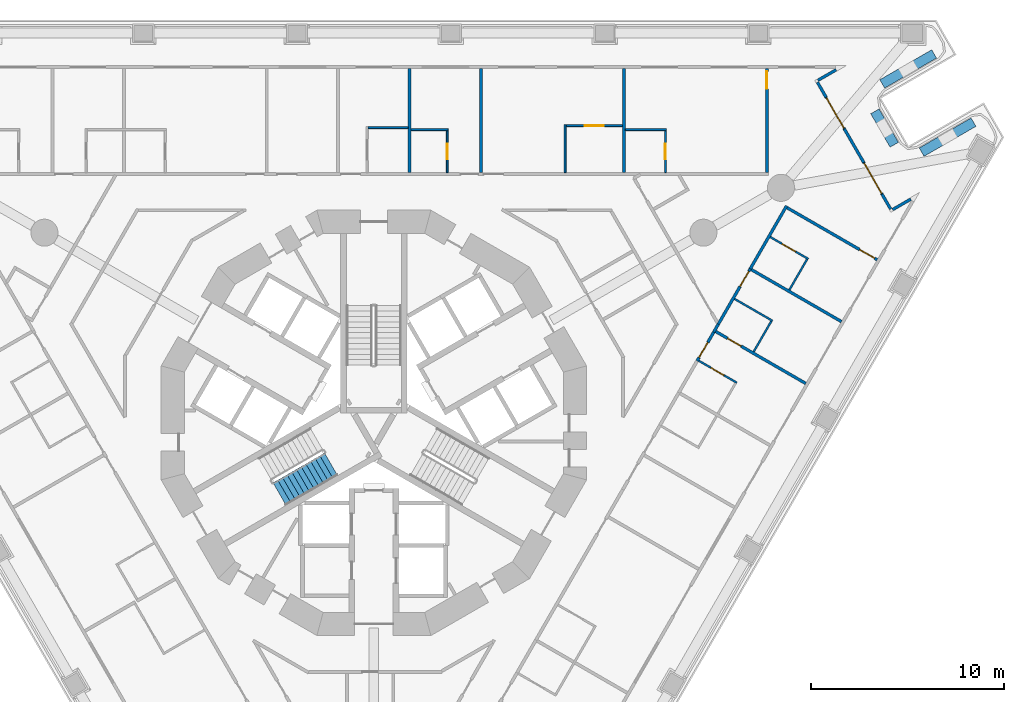
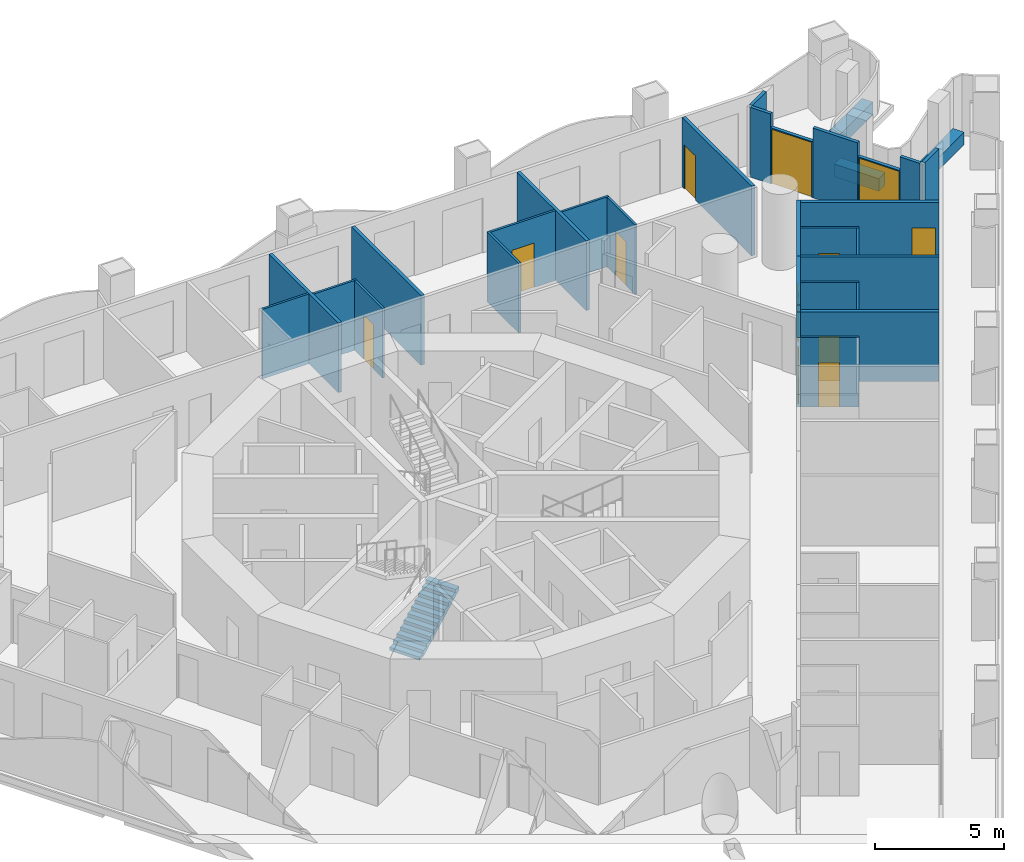
# One storey, part 10 of 20: 33 walls, 12 doors, 1 stair flight, 12 openings, 1 element without a shape of its own.
"""IFC4 building model written with IfcOpenShell, lengths in metres."""

from ifc_helpers import new_model, si_unit, direction, frame, frame_2d, origin, place, context, subcontext, project, spatial, polyline, rectangle, outline, extrude, material, layer, layer_set, type_object, element, fill, aggregate, save


model = new_model("IFC4")

# Units and contexts
model_context = context("Model", 3, precision=1e-05, world=origin(), true_north=direction((0.0, 1.0)))
body_context = subcontext(model_context, "Body", "Model", "MODEL_VIEW")
ifc_project = project(units=[si_unit("LENGTHUNIT", "METRE"), si_unit("AREAUNIT", "SQUARE_METRE"), si_unit("VOLUMEUNIT", "CUBIC_METRE"), si_unit("PLANEANGLEUNIT", "RADIAN"), si_unit("MASSUNIT", "GRAM", prefix="KILO")], contexts=[model_context])

# Site, building, storey
site_placement = place(None, origin())
site = spatial("IfcSite", under=ifc_project, at=site_placement, CompositionType="ELEMENT")
building_placement = place(site_placement, origin())
building = spatial("IfcBuilding", under=site, at=building_placement, Name="Trine Commons Tower", CompositionType="ELEMENT")
storey_placement = place(building_placement, frame((0.0, 0.0, 38.699951171875)))
storey = spatial("IfcBuildingStorey", under=building, at=storey_placement, Name="L08", CompositionType="ELEMENT", Elevation=38.699951171875)

# Walls
ifc_material_1 = material(Name="Aluminium-framed insulated wall panel", Category="aluminium")
ifc_layer_1 = layer(ifc_material_1, 0.14990234375)
ifc_layer_set_1 = layer_set([ifc_layer_1], Name="Aluminium-framed insulated wall panel")
wall_type_1 = type_object("IfcWallType", Name="Glazed frame wall 150, EI 60", PredefinedType="SOLIDWALL", material=ifc_layer_set_1)
wall_1_placement = place(storey_placement, frame((104.060546875, 80.854248046875, 0.0), z_axis=(0.0, 0.0, 1.0), x_axis=(-0.86606770004, -0.49992673358, 0.0)))
element("IfcWall", 1, at=wall_1_placement, inside=storey, type_object=wall_type_1, Name="Glazed frame wall R5", PredefinedType="SOLIDWALL", context=body_context, shape_type="SweptSolid", body=[
    extrude(outline(polyline([(0.1494140625, 0.074951171875), (0.1494140625, -0.074951171875), (1.235107421875, -0.074951171875), (1.235107421875, 0.074951171875), (0.1494140625, 0.074951171875)])), origin(), (0.0, 0.0, 1.0), 3.300048828125),
])
wall_2_placement = place(storey_placement, frame((102.90869140625, 80.2294921875, 0.0), z_axis=(0.0, 0.0, 1.0), x_axis=(0.50002537861, -0.866010750942, 0.0)))
element("IfcWall", 2, at=wall_2_placement, inside=storey, type_object=wall_type_1, Name="Glazed frame wall P2.1", PredefinedType="SOLIDWALL", context=body_context, shape_type="SweptSolid", body=[
    extrude(outline(polyline([(0.110107421875, -0.074951171875), (1.0, -0.074951171875), (1.0, 0.074951171875), (0.110107421875, 0.074951171875), (0.110107421875, -0.074951171875)])), origin(), (0.0, 0.0, 1.0), 3.300048828125),
])

# Wall, opening, door
wall_3_placement = place(storey_placement, frame((103.40869140625, 79.363525390625, 0.0), z_axis=(0.0, 0.0, 1.0), x_axis=(0.499967155389, -0.866044365799, 0.0)))
wall_3 = element("IfcWall", 3, at=wall_3_placement, inside=storey, type_object=wall_type_1, Name="Glazed frame wall P2.2", PredefinedType="SOLIDWALL", context=body_context, shape_type="SweptSolid", body=[
    extrude(outline(polyline([(0.0, -0.074951171875), (1.89990234375, -0.074951171875), (1.89990234375, 0.074951171875), (0.0, 0.074951171875), (0.0, -0.074951171875)])), origin(), (0.0, 0.0, 1.0), 2.650146484375),
])
opening_1_placement = place(wall_3_placement, frame((0.050048828125, 0.0, 0.0)))
opening_1 = element("IfcOpeningElement", 4, at=opening_1_placement, cuts=wall_3, Name="Opening BD-1P2-01", PredefinedType="OPENING", context=body_context, shape_type="SweptSolid", body=[
    extrude(rectangle(XDim=1.800048828125, YDim=2.60009765625, at=frame_2d((0.89990234375, 1.300048828125))), frame((0.0, 0.0849609375, 0.0), z_axis=(0.0, -1.0, 0.0), x_axis=(1.0, 0.0, 0.0)), (0.0, 0.0, 1.0), 0.169921875),
])
ifc_material_2 = material(Name="Anodised aluminium frame with double glazing", Category="aluminium")
door_type_1 = type_object("IfcDoorType", Name="Sliding loggia door 1800x2600", OperationType="SLIDING_TO_LEFT", PredefinedType="DOOR", material=ifc_material_2)
door_1_placement = place(opening_1_placement, origin())
door_1 = element("IfcDoor", 5, at=door_1_placement, inside=storey, type_object=door_type_1, Name="Loggia door P2 1", OperationType="SLIDING_TO_LEFT", OverallHeight=2.60009765625, OverallWidth=1.800048828125, PredefinedType="DOOR", context=body_context, shape_type="SweptSolid", body=[
    extrude(rectangle(XDim=1.800048828125, YDim=2.60009765625, at=frame_2d((0.89990234375, 1.300048828125))), frame((0.0, 0.02490234375, 0.0), z_axis=(0.0, -1.0, 0.0), x_axis=(1.0, 0.0, 0.0)), (0.0, 0.0, 1.0), 0.050048828125),
])
fill(opening_1, door_1)

# Wall
wall_4_placement = place(storey_placement, frame((104.358642578125, 77.718017578125, 0.0), z_axis=(0.0, 0.0, 1.0), x_axis=(0.50002537861, -0.866010750942, 0.0)))
element("IfcWall", 6, at=wall_4_placement, inside=storey, type_object=wall_type_1, Name="Glazed frame wall P2.3", PredefinedType="SOLIDWALL", context=body_context, shape_type="SweptSolid", body=[
    extrude(outline(polyline([(0.0, -0.074951171875), (2.0, -0.074951171875), (2.0, 0.074951171875), (0.0, 0.074951171875), (0.0, -0.074951171875)])), origin(), (0.0, 0.0, 1.0), 3.300048828125),
])

# Wall, opening, door
wall_5_placement = place(storey_placement, frame((105.358642578125, 75.986083984375, 0.0), z_axis=(0.0, 0.0, 1.0), x_axis=(0.499967155389, -0.866044365799, 0.0)))
wall_5 = element("IfcWall", 7, at=wall_5_placement, inside=storey, type_object=wall_type_1, Name="Glazed frame wall P2.4", PredefinedType="SOLIDWALL", context=body_context, shape_type="SweptSolid", body=[
    extrude(outline(polyline([(0.0, -0.074951171875), (1.89990234375, -0.074951171875), (1.89990234375, 0.074951171875), (0.0, 0.074951171875), (0.0, -0.074951171875)])), origin(), (0.0, 0.0, 1.0), 2.650146484375),
])
opening_2_placement = place(wall_5_placement, frame((0.050048828125, 0.0, 0.0)))
opening_2 = element("IfcOpeningElement", 8, at=opening_2_placement, cuts=wall_5, Name="Opening BD-1P2-02", PredefinedType="OPENING", context=body_context, shape_type="SweptSolid", body=[
    extrude(rectangle(XDim=1.800048828125, YDim=2.60009765625, at=frame_2d((0.89990234375, 1.300048828125))), frame((0.0, 0.0849609375, 0.0), z_axis=(0.0, -1.0, 0.0), x_axis=(1.0, 0.0, 0.0)), (0.0, 0.0, 1.0), 0.169921875),
])
door_2_placement = place(opening_2_placement, origin())
door_2 = element("IfcDoor", 9, at=door_2_placement, inside=storey, type_object=door_type_1, Name="Loggia door P2 2", OperationType="SLIDING_TO_LEFT", OverallHeight=2.60009765625, OverallWidth=1.800048828125, PredefinedType="DOOR", context=body_context, shape_type="SweptSolid", body=[
    extrude(rectangle(XDim=1.800048828125, YDim=2.60009765625, at=frame_2d((0.89990234375, 1.300048828125))), frame((0.0, 0.02490234375, 0.0), z_axis=(0.0, -1.0, 0.0), x_axis=(1.0, 0.0, 0.0)), (0.0, 0.0, 1.0), 0.050048828125),
])
fill(opening_2, door_2)

# Walls
wall_6_placement = place(storey_placement, frame((106.30859375, 74.340576171875, 0.0), z_axis=(0.0, 0.0, 1.0), x_axis=(0.50002537861, -0.866010750942, 0.0)))
element("IfcWall", 10, at=wall_6_placement, inside=storey, type_object=wall_type_1, Name="Glazed frame wall P2.5", PredefinedType="SOLIDWALL", context=body_context, shape_type="SweptSolid", body=[
    extrude(outline(polyline([(0.889892578125, 0.074951171875), (0.0, 0.074951171875), (0.0, -0.074951171875), (0.889892578125, -0.074951171875), (0.889892578125, 0.074951171875)])), origin(), (0.0, 0.0, 1.0), 3.300048828125),
])
wall_7_placement = place(storey_placement, frame((106.7607421875, 73.4873046875, 0.0), z_axis=(0.0, 0.0, 1.0), x_axis=(0.865989100438, 0.500062873969, 0.0)))
element("IfcWall", 11, at=wall_7_placement, inside=storey, type_object=wall_type_1, Name="Glazed frame wall R7", PredefinedType="SOLIDWALL", context=body_context, shape_type="SweptSolid", body=[
    extrude(outline(polyline([(0.110107421875, 0.074951171875), (0.110107421875, -0.074951171875), (1.19580078125, -0.074951171875), (1.19580078125, 0.074951171875), (0.110107421875, 0.074951171875)])), origin(), (0.0, 0.0, 1.0), 3.300048828125),
])
ifc_material_3 = material(Name="Planter trough, precast concrete C40/50", Category="concrete")
ifc_layer_2 = layer(ifc_material_3, 0.5)
ifc_layer_set_2 = layer_set([ifc_layer_2], Name="Planter trough, precast concrete C40/50")
wall_type_2 = type_object("IfcWallType", Name="Planter trough 500x600", PredefinedType="PARAPET", material=ifc_layer_set_2)
wall_8_placement = place(storey_placement, frame((109.00439453125, 81.601318359375, 0.0), z_axis=(0.0, 0.0, 1.0), x_axis=(-0.86602952684, -0.49999285859, 0.0)))
element("IfcWall", 12, at=wall_8_placement, inside=storey, type_object=wall_type_2, Name="Planter 4", PredefinedType="PARAPET", context=body_context, shape_type="SweptSolid", body=[
    extrude(rectangle(XDim=3.10009765625, YDim=0.5, at=frame_2d((1.550048828125, 0.0))), origin(), (0.0, 0.0, 1.0), 0.60009765625),
])
wall_9_placement = place(storey_placement, frame((105.939208984375, 78.630615234375, 0.0), z_axis=(0.0, 0.0, 1.0), x_axis=(0.50002537861, -0.866010750942, 0.0)))
element("IfcWall", 13, at=wall_9_placement, inside=storey, type_object=wall_type_2, Name="Planter 5", PredefinedType="PARAPET", context=body_context, shape_type="SweptSolid", body=[
    extrude(rectangle(XDim=2.0, YDim=0.5, at=frame_2d((1.0, 0.0))), origin(), (0.0, 0.0, 1.0), 0.60009765625),
])
wall_10_placement = place(storey_placement, frame((108.359619140625, 76.51806640625, 0.0), z_axis=(0.0, 0.0, 1.0), x_axis=(0.86602952684, 0.49999285859, 0.0)))
element("IfcWall", 14, at=wall_10_placement, inside=storey, type_object=wall_type_2, Name="Planter 6", PredefinedType="PARAPET", context=body_context, shape_type="SweptSolid", body=[
    extrude(rectangle(XDim=3.10009765625, YDim=0.5, at=frame_2d((1.550048828125, 0.0))), origin(), (0.0, 0.0, 1.0), 0.60009765625),
])
ifc_material_4 = material(Name="Gypsum plasterboard on steel stud", Category="steel")
ifc_layer_3 = layer(ifc_material_4, 0.14990234375)
ifc_layer_set_3 = layer_set([ifc_layer_3], Name="Gypsum plasterboard on steel stud")
wall_type_3 = type_object("IfcWallType", Name="Unit and corridor wall 150 mm, EI 60", PredefinedType="PARTITIONING", material=ifc_layer_set_3)
for number, where, z_axis, x_axis, name in (
    (15, (81.84912109375, 75.4619140625, 0.0), (0.0, 0.0, 1.0), (0.0, 1.0, 0.0), "Partition 073"),
    (16, (85.548095703125, 75.4619140625, 0.0), (0.0, 0.0, 1.0), (0.0, 1.0, 0.0), "Partition 086"),
    (17, (92.946044921875, 75.4619140625, 0.0), (0.0, 0.0, 1.0), (0.0, 1.0, 0.0), "Partition 110"),
):
    element("IfcWall", number, at=place(storey_placement, frame(where, z_axis=z_axis, x_axis=x_axis)), inside=storey, type_object=wall_type_3, Name=name, PredefinedType="PARTITIONING", context=body_context, shape_type="SweptSolid", body=[
        extrude(rectangle(XDim=5.383056640625, YDim=0.14990234375, at=frame_2d((2.69140625, 0.0))), origin(), (0.0, 0.0, 1.0), 3.300048828125),
    ])

# Wall, opening, door
wall_11_placement = place(storey_placement, frame((96.73291015625, 65.707763671875, 0.0), z_axis=(0.0, 0.0, 1.0), x_axis=(0.499991567972, 0.866030271964, 0.0)))
wall_11 = element("IfcWall", 18, at=wall_11_placement, inside=storey, type_object=wall_type_3, Name="Partition 122", PredefinedType="PARTITIONING", context=body_context, shape_type="SweptSolid", body=[
    extrude(rectangle(XDim=1.80615234375, YDim=0.14990234375, at=frame_2d((0.903076171875, 0.0))), origin(), (0.0, 0.0, 1.0), 3.300048828125),
])
opening_3_placement = place(wall_11_placement, frame((0.203125, 0.0, 0.0)))
opening_3 = element("IfcOpeningElement", 19, at=opening_3_placement, cuts=wall_11, Name="Opening D-1A17", PredefinedType="OPENING", context=body_context, shape_type="SweptSolid", body=[
    extrude(rectangle(XDim=0.89990234375, YDim=2.10009765625, at=frame_2d((0.449951171875, 1.050048828125))), frame((0.0, 0.0849609375, 0.0), z_axis=(0.0, -1.0, 0.0), x_axis=(1.0, 0.0, 0.0)), (0.0, 0.0, 1.0), 0.169921875),
])
ifc_material_5 = material(Name="Timber fire door set", Category="wood")
door_type_2 = type_object("IfcDoorType", Name="Bedroom door 900 x 2100, FD30S", OperationType="NOTDEFINED", PredefinedType="DOOR", material=ifc_material_5)
door_3_placement = place(opening_3_placement, frame((0.89990234375, 0.0, 0.0), z_axis=(0.0, 0.0, 1.0), x_axis=(-1.0, 0.0, 0.0)))
door_3 = element("IfcDoor", 20, at=door_3_placement, inside=storey, type_object=door_type_2, Name="Door D-1A17", OperationType="SINGLE_SWING_RIGHT", OverallHeight=2.10009765625, OverallWidth=0.89990234375, PredefinedType="DOOR", context=body_context, shape_type="SweptSolid", body=[
    extrude(rectangle(XDim=0.89990234375, YDim=2.10009765625, at=frame_2d((0.449951171875, 1.050048828125))), frame((0.0, 0.02490234375, 0.0), z_axis=(0.0, -1.0, 0.0), x_axis=(1.0, 0.0, 0.0)), (0.0, 0.0, 1.0), 0.050048828125),
])
fill(opening_3, door_3)

# Wall
wall_12_placement = place(storey_placement, frame((97.594482421875, 67.199951171875, 0.0), z_axis=(0.0, 0.0, 1.0), x_axis=(0.499633176362, 0.866237085952, 0.0)))
element("IfcWall", 21, at=wall_12_placement, inside=storey, type_object=wall_type_3, Name="Partition 125", PredefinedType="PARTITIONING", context=body_context, shape_type="SweptSolid", body=[
    extrude(rectangle(XDim=0.473388671875, YDim=0.14990234375, at=frame_2d((0.23681640625, 0.0))), origin(), (0.0, 0.0, 1.0), 3.300048828125),
])

# Wall, opening, door
wall_13_placement = place(storey_placement, frame((97.697998046875, 67.2314453125, 0.0), z_axis=(0.0, 0.0, 1.0), x_axis=(0.866057962423, -0.499943602543, 0.0)))
wall_13 = element("IfcWall", 22, at=wall_13_placement, inside=storey, type_object=wall_type_3, Name="Partition 126", PredefinedType="PARTITIONING", context=body_context, shape_type="SweptSolid", body=[
    extrude(rectangle(XDim=5.38330078125, YDim=0.14990234375, at=frame_2d((2.691650390625, 0.0))), origin(), (0.0, 0.0, 1.0), 3.300048828125),
])
opening_4_placement = place(wall_13_placement, frame((0.712646484375, 0.0, 0.0)))
opening_4 = element("IfcOpeningElement", 23, at=opening_4_placement, cuts=wall_13, Name="Opening D-1A49", PredefinedType="OPENING", context=body_context, shape_type="SweptSolid", body=[
    extrude(rectangle(XDim=0.800048828125, YDim=2.10009765625, at=frame_2d((0.39990234375, 1.050048828125))), frame((0.0, 0.0849609375, 0.0), z_axis=(0.0, -1.0, 0.0), x_axis=(1.0, 0.0, 0.0)), (0.0, 0.0, 1.0), 0.169921875),
])
ifc_material_6 = material(Name="Painted timber", Category="wood")
door_type_3 = type_object("IfcDoorType", Name="Internal door 800 x 2100, NOT RATED", OperationType="NOTDEFINED", PredefinedType="DOOR", material=ifc_material_6)
door_4_placement = place(opening_4_placement, frame((0.800048828125, 0.0, 0.0), z_axis=(0.0, 0.0, 1.0), x_axis=(-1.0, 0.0, 0.0)))
door_4 = element("IfcDoor", 24, at=door_4_placement, inside=storey, type_object=door_type_3, Name="Door D-1A49", OperationType="SINGLE_SWING_RIGHT", OverallHeight=2.10009765625, OverallWidth=0.800048828125, PredefinedType="DOOR", context=body_context, shape_type="SweptSolid", body=[
    extrude(rectangle(XDim=0.800048828125, YDim=2.10009765625, at=frame_2d((0.39990234375, 1.050048828125))), frame((0.0, 0.02490234375, 0.0), z_axis=(0.0, -1.0, 0.0), x_axis=(1.0, 0.0, 0.0)), (0.0, 0.0, 1.0), 0.050048828125),
])
fill(opening_4, door_4)

wall_14_placement = place(storey_placement, frame((97.8310546875, 67.610107421875, 0.0), z_axis=(0.0, 0.0, 1.0), x_axis=(0.499905801698, 0.866079782369, 0.0)))
wall_14 = element("IfcWall", 25, at=wall_14_placement, inside=storey, type_object=wall_type_3, Name="Partition 128", PredefinedType="PARTITIONING", context=body_context, shape_type="SweptSolid", body=[
    extrude(rectangle(XDim=3.304443359375, YDim=0.14990234375, at=frame_2d((1.65234375, 0.0))), origin(), (0.0, 0.0, 1.0), 3.300048828125),
])
opening_5_placement = place(wall_14_placement, frame((2.254638671875, 0.0, 0.0)))
opening_5 = element("IfcOpeningElement", 26, at=opening_5_placement, cuts=wall_14, Name="Opening D-1A16", PredefinedType="OPENING", context=body_context, shape_type="SweptSolid", body=[
    extrude(rectangle(XDim=0.89990234375, YDim=2.10009765625, at=frame_2d((0.449951171875, 1.050048828125))), frame((0.0, 0.0849609375, 0.0), z_axis=(0.0, -1.0, 0.0), x_axis=(1.0, 0.0, 0.0)), (0.0, 0.0, 1.0), 0.169921875),
])
door_5_placement = place(opening_5_placement, frame((0.89990234375, 0.0, 0.0), z_axis=(0.0, 0.0, 1.0), x_axis=(-1.0, 0.0, 0.0)))
door_5 = element("IfcDoor", 27, at=door_5_placement, inside=storey, type_object=door_type_2, Name="Door D-1A16", OperationType="SINGLE_SWING_LEFT", OverallHeight=2.10009765625, OverallWidth=0.89990234375, PredefinedType="DOOR", context=body_context, shape_type="SweptSolid", body=[
    extrude(rectangle(XDim=0.89990234375, YDim=2.10009765625, at=frame_2d((0.449951171875, 1.050048828125))), frame((0.0, 0.02490234375, 0.0), z_axis=(0.0, -1.0, 0.0), x_axis=(1.0, 0.0, 0.0)), (0.0, 0.0, 1.0), 0.050048828125),
])
fill(opening_5, door_5)

# Walls
wall_15_placement = place(storey_placement, frame((99.48291015625, 70.471923828125, 0.0), z_axis=(0.0, 0.0, 1.0), x_axis=(0.49993154479, 0.866064922811, 0.0)))
element("IfcWall", 28, at=wall_15_placement, inside=storey, type_object=wall_type_3, Name="Partition 130", PredefinedType="PARTITIONING", context=body_context, shape_type="SweptSolid", body=[
    extrude(rectangle(XDim=3.7734375, YDim=0.14990234375, at=frame_2d((1.88671875, 0.0))), origin(), (0.0, 0.0, 1.0), 3.300048828125),
])
wall_16_placement = place(storey_placement, frame((99.548095703125, 70.4345703125, 0.0), z_axis=(0.0, 0.0, 1.0), x_axis=(0.865992970276, -0.500056172277, 0.0)))
element("IfcWall", 29, at=wall_16_placement, inside=storey, type_object=wall_type_3, Name="Partition 131", PredefinedType="PARTITIONING", context=body_context, shape_type="SweptSolid", body=[
    extrude(rectangle(XDim=5.3828125, YDim=0.14990234375, at=frame_2d((2.69140625, 0.0))), origin(), (0.0, 0.0, 1.0), 3.300048828125),
])

# Wall, opening, door
wall_17_placement = place(storey_placement, frame((100.343994140625, 75.4619140625, 0.0), z_axis=(0.0, 0.0, 1.0), x_axis=(0.0, 1.0, 0.0)))
wall_17 = element("IfcWall", 30, at=wall_17_placement, inside=storey, type_object=wall_type_3, Name="Partition 133", PredefinedType="PARTITIONING", context=body_context, shape_type="SweptSolid", body=[
    extrude(rectangle(XDim=5.383056640625, YDim=0.14990234375, at=frame_2d((2.69140625, 0.0))), origin(), (0.0, 0.0, 1.0), 3.300048828125),
])
opening_6_placement = place(wall_17_placement, frame((4.3330078125, 0.0, 0.0)))
opening_6 = element("IfcOpeningElement", 31, at=opening_6_placement, cuts=wall_17, Name="Opening D-1A14", PredefinedType="OPENING", context=body_context, shape_type="SweptSolid", body=[
    extrude(rectangle(XDim=0.89990234375, YDim=2.10009765625, at=frame_2d((0.449951171875, 1.050048828125))), frame((0.0, 0.0849609375, 0.0), z_axis=(0.0, -1.0, 0.0), x_axis=(1.0, 0.0, 0.0)), (0.0, 0.0, 1.0), 0.169921875),
])
door_6_placement = place(opening_6_placement, origin())
door_6 = element("IfcDoor", 32, at=door_6_placement, inside=storey, type_object=door_type_2, Name="Door D-1A14", OperationType="SINGLE_SWING_RIGHT", OverallHeight=2.10009765625, OverallWidth=0.89990234375, PredefinedType="DOOR", context=body_context, shape_type="SweptSolid", body=[
    extrude(rectangle(XDim=0.89990234375, YDim=2.10009765625, at=frame_2d((0.449951171875, 1.050048828125))), frame((0.0, 0.02490234375, 0.0), z_axis=(0.0, -1.0, 0.0), x_axis=(1.0, 0.0, 0.0)), (0.0, 0.0, 1.0), 0.050048828125),
])
fill(opening_6, door_6)

wall_18_placement = place(storey_placement, frame((101.39697265625, 73.637451171875, 0.0), z_axis=(0.0, 0.0, 1.0), x_axis=(0.866057962423, -0.499943602543, 0.0)))
wall_18 = element("IfcWall", 33, at=wall_18_placement, inside=storey, type_object=wall_type_3, Name="Partition 135", PredefinedType="PARTITIONING", context=body_context, shape_type="SweptSolid", body=[
    extrude(rectangle(XDim=5.38330078125, YDim=0.14990234375, at=frame_2d((2.691650390625, 0.0))), origin(), (0.0, 0.0, 1.0), 3.300048828125),
])
opening_7_placement = place(wall_18_placement, frame((4.33349609375, 0.0, 0.0)))
opening_7 = element("IfcOpeningElement", 34, at=opening_7_placement, cuts=wall_18, Name="Opening D-1A15", PredefinedType="OPENING", context=body_context, shape_type="SweptSolid", body=[
    extrude(rectangle(XDim=0.89990234375, YDim=2.10009765625, at=frame_2d((0.449951171875, 1.050048828125))), frame((0.0, 0.0849609375, 0.0), z_axis=(0.0, -1.0, 0.0), x_axis=(1.0, 0.0, 0.0)), (0.0, 0.0, 1.0), 0.169921875),
])
door_7_placement = place(opening_7_placement, frame((0.89990234375, 0.0, 0.0), z_axis=(0.0, 0.0, 1.0), x_axis=(-1.0, 0.0, 0.0)))
door_7 = element("IfcDoor", 35, at=door_7_placement, inside=storey, type_object=door_type_2, Name="Door D-1A15", OperationType="SINGLE_SWING_LEFT", OverallHeight=2.10009765625, OverallWidth=0.89990234375, PredefinedType="DOOR", context=body_context, shape_type="SweptSolid", body=[
    extrude(rectangle(XDim=0.89990234375, YDim=2.10009765625, at=frame_2d((0.449951171875, 1.050048828125))), frame((0.0, 0.02490234375, 0.0), z_axis=(0.0, -1.0, 0.0), x_axis=(1.0, 0.0, 0.0)), (0.0, 0.0, 1.0), 0.050048828125),
])
fill(opening_7, door_7)

# Walls
ifc_layer_4 = layer(ifc_material_4, 0.10009765625)
ifc_layer_set_4 = layer_set([ifc_layer_4], Name="Gypsum plasterboard on steel stud")
wall_type_4 = type_object("IfcWallType", Name="Unit partition 100 mm, no rating", PredefinedType="PARTITIONING", material=ifc_layer_set_4)
wall_19_placement = place(storey_placement, frame((79.698974609375, 77.787109375, 0.0), z_axis=(0.0, 0.0, 1.0), x_axis=(1.0, 0.0, 0.0)))
element("IfcWall", 36, at=wall_19_placement, inside=storey, type_object=wall_type_4, Name="Partition 068", PredefinedType="PARTITIONING", context=body_context, shape_type="SweptSolid", body=[
    extrude(rectangle(XDim=2.074951171875, YDim=0.10009765625, at=frame_2d((1.03759765625, 0.0))), origin(), (0.0, 0.0, 1.0), 3.300048828125),
])
wall_20_placement = place(storey_placement, frame((81.924072265625, 77.68701171875, 0.0), z_axis=(0.0, 0.0, 1.0), x_axis=(1.0, 0.0, 0.0)))
element("IfcWall", 37, at=wall_20_placement, inside=storey, type_object=wall_type_4, Name="Partition 074", PredefinedType="PARTITIONING", context=body_context, shape_type="SweptSolid", body=[
    extrude(rectangle(XDim=1.925048828125, YDim=0.10009765625, at=frame_2d((0.96240234375, 0.0))), origin(), (0.0, 0.0, 1.0), 3.300048828125),
])

# Wall, opening, door
wall_21_placement = place(storey_placement, frame((83.799072265625, 75.4619140625, 0.0), z_axis=(0.0, 0.0, 1.0), x_axis=(0.0, 1.0, 0.0)))
wall_21 = element("IfcWall", 38, at=wall_21_placement, inside=storey, type_object=wall_type_4, Name="Partition 082", PredefinedType="PARTITIONING", context=body_context, shape_type="SweptSolid", body=[
    extrude(rectangle(XDim=2.175048828125, YDim=0.10009765625, at=frame_2d((1.08740234375, 0.0))), origin(), (0.0, 0.0, 1.0), 3.300048828125),
])
opening_8_placement = place(wall_21_placement, frame((0.6875, 0.0, 0.0)))
opening_8 = element("IfcOpeningElement", 39, at=opening_8_placement, cuts=wall_21, Name="Opening D-1A45", PredefinedType="OPENING", context=body_context, shape_type="SweptSolid", body=[
    extrude(rectangle(XDim=0.800048828125, YDim=2.10009765625, at=frame_2d((0.39990234375, 1.050048828125))), frame((0.0, 0.06005859375, 0.0), z_axis=(0.0, -1.0, 0.0), x_axis=(1.0, 0.0, 0.0)), (0.0, 0.0, 1.0), 0.1201171875),
])
door_8_placement = place(opening_8_placement, frame((0.800048828125, 0.0, 0.0), z_axis=(0.0, 0.0, 1.0), x_axis=(-1.0, 0.0, 0.0)))
door_8 = element("IfcDoor", 40, at=door_8_placement, inside=storey, type_object=door_type_3, Name="Door D-1A45", OperationType="SINGLE_SWING_RIGHT", OverallHeight=2.10009765625, OverallWidth=0.800048828125, PredefinedType="DOOR", context=body_context, shape_type="SweptSolid", body=[
    extrude(rectangle(XDim=0.800048828125, YDim=2.10009765625, at=frame_2d((0.39990234375, 1.050048828125))), frame((0.0, 0.02490234375, 0.0), z_axis=(0.0, -1.0, 0.0), x_axis=(1.0, 0.0, 0.0)), (0.0, 0.0, 1.0), 0.050048828125),
])
fill(opening_8, door_8)

# Wall
wall_22_placement = place(storey_placement, frame((89.89599609375, 75.4619140625, 0.0), z_axis=(0.0, 0.0, 1.0), x_axis=(0.0, 1.0, 0.0)))
element("IfcWall", 41, at=wall_22_placement, inside=storey, type_object=wall_type_4, Name="Partition 101", PredefinedType="PARTITIONING", context=body_context, shape_type="SweptSolid", body=[
    extrude(rectangle(XDim=2.47509765625, YDim=0.10009765625, at=frame_2d((1.237548828125, 0.0))), origin(), (0.0, 0.0, 1.0), 3.300048828125),
])

# Wall, opening, door
wall_23_placement = place(storey_placement, frame((89.946044921875, 77.886962890625, 0.0), z_axis=(0.0, 0.0, 1.0), x_axis=(1.0, 0.0, 0.0)))
wall_23 = element("IfcWall", 42, at=wall_23_placement, inside=storey, type_object=wall_type_4, Name="Partition 102", PredefinedType="PARTITIONING", context=body_context, shape_type="SweptSolid", body=[
    extrude(rectangle(XDim=2.925048828125, YDim=0.10009765625, at=frame_2d((1.46240234375, 0.0))), origin(), (0.0, 0.0, 1.0), 3.300048828125),
])
opening_9_placement = place(wall_23_placement, frame((0.96240234375, 0.0, 0.0)))
opening_9 = element("IfcOpeningElement", 43, at=opening_9_placement, cuts=wall_23, Name="Opening D-1A46", PredefinedType="OPENING", context=body_context, shape_type="SweptSolid", body=[
    extrude(rectangle(XDim=1.0, YDim=2.10009765625, at=frame_2d((0.5, 1.050048828125))), frame((0.0, 0.06005859375, 0.0), z_axis=(0.0, -1.0, 0.0), x_axis=(1.0, 0.0, 0.0)), (0.0, 0.0, 1.0), 0.1201171875),
])
door_type_4 = type_object("IfcDoorType", Name="Internal door 1000 x 2100, NOT RATED", OperationType="NOTDEFINED", PredefinedType="DOOR", material=ifc_material_6)
door_9_placement = place(opening_9_placement, origin())
door_9 = element("IfcDoor", 44, at=door_9_placement, inside=storey, type_object=door_type_4, Name="Door D-1A46", OperationType="SINGLE_SWING_RIGHT", OverallHeight=2.10009765625, OverallWidth=1.0, PredefinedType="DOOR", context=body_context, shape_type="SweptSolid", body=[
    extrude(rectangle(XDim=1.0, YDim=2.10009765625, at=frame_2d((0.5, 1.050048828125))), frame((0.0, 0.02490234375, 0.0), z_axis=(0.0, -1.0, 0.0), x_axis=(1.0, 0.0, 0.0)), (0.0, 0.0, 1.0), 0.050048828125),
])
fill(opening_9, door_9)

# Wall
wall_24_placement = place(storey_placement, frame((93.02099609375, 77.68701171875, 0.0), z_axis=(0.0, 0.0, 1.0), x_axis=(1.0, 0.0, 0.0)))
element("IfcWall", 45, at=wall_24_placement, inside=storey, type_object=wall_type_4, Name="Partition 111", PredefinedType="PARTITIONING", context=body_context, shape_type="SweptSolid", body=[
    extrude(rectangle(XDim=2.125, YDim=0.10009765625, at=frame_2d((1.0625, 0.0))), origin(), (0.0, 0.0, 1.0), 3.300048828125),
])

# Wall, opening, door
wall_25_placement = place(storey_placement, frame((95.095947265625, 75.4619140625, 0.0), z_axis=(0.0, 0.0, 1.0), x_axis=(0.0, 1.0, 0.0)))
wall_25 = element("IfcWall", 46, at=wall_25_placement, inside=storey, type_object=wall_type_4, Name="Partition 118", PredefinedType="PARTITIONING", context=body_context, shape_type="SweptSolid", body=[
    extrude(rectangle(XDim=2.175048828125, YDim=0.10009765625, at=frame_2d((1.08740234375, 0.0))), origin(), (0.0, 0.0, 1.0), 3.300048828125),
])
opening_10_placement = place(wall_25_placement, frame((0.6875, 0.0, 0.0)))
opening_10 = element("IfcOpeningElement", 47, at=opening_10_placement, cuts=wall_25, Name="Opening D-1A47", PredefinedType="OPENING", context=body_context, shape_type="SweptSolid", body=[
    extrude(rectangle(XDim=0.800048828125, YDim=2.10009765625, at=frame_2d((0.39990234375, 1.050048828125))), frame((0.0, 0.06005859375, 0.0), z_axis=(0.0, -1.0, 0.0), x_axis=(1.0, 0.0, 0.0)), (0.0, 0.0, 1.0), 0.1201171875),
])
door_10_placement = place(opening_10_placement, frame((0.800048828125, 0.0, 0.0), z_axis=(0.0, 0.0, 1.0), x_axis=(-1.0, 0.0, 0.0)))
door_10 = element("IfcDoor", 48, at=door_10_placement, inside=storey, type_object=door_type_3, Name="Door D-1A47", OperationType="SINGLE_SWING_RIGHT", OverallHeight=2.10009765625, OverallWidth=0.800048828125, PredefinedType="DOOR", context=body_context, shape_type="SweptSolid", body=[
    extrude(rectangle(XDim=0.800048828125, YDim=2.10009765625, at=frame_2d((0.39990234375, 1.050048828125))), frame((0.0, 0.02490234375, 0.0), z_axis=(0.0, -1.0, 0.0), x_axis=(1.0, 0.0, 0.0)), (0.0, 0.0, 1.0), 0.050048828125),
])
fill(opening_10, door_10)

wall_26_placement = place(storey_placement, frame((96.823974609375, 65.716552734375, 0.0), z_axis=(0.0, 0.0, 1.0), x_axis=(0.866035472144, -0.499982560684, 0.0)))
wall_26 = element("IfcWall", 49, at=wall_26_placement, inside=storey, type_object=wall_type_4, Name="Partition 123", PredefinedType="PARTITIONING", context=body_context, shape_type="SweptSolid", body=[
    extrude(rectangle(XDim=2.27490234375, YDim=0.10009765625, at=frame_2d((1.137451171875, 0.0))), origin(), (0.0, 0.0, 1.0), 3.300048828125),
])
opening_11_placement = place(wall_26_placement, frame((0.712646484375, 0.0, 0.0)))
opening_11 = element("IfcOpeningElement", 50, at=opening_11_placement, cuts=wall_26, Name="Opening D-1A50", PredefinedType="OPENING", context=body_context, shape_type="SweptSolid", body=[
    extrude(rectangle(XDim=0.800048828125, YDim=2.10009765625, at=frame_2d((0.39990234375, 1.050048828125))), frame((0.0, 0.06005859375, 0.0), z_axis=(0.0, -1.0, 0.0), x_axis=(1.0, 0.0, 0.0)), (0.0, 0.0, 1.0), 0.1201171875),
])
door_11_placement = place(opening_11_placement, origin())
door_11 = element("IfcDoor", 51, at=door_11_placement, inside=storey, type_object=door_type_3, Name="Door D-1A50", OperationType="SINGLE_SWING_LEFT", OverallHeight=2.10009765625, OverallWidth=0.800048828125, PredefinedType="DOOR", context=body_context, shape_type="SweptSolid", body=[
    extrude(rectangle(XDim=0.800048828125, YDim=2.10009765625, at=frame_2d((0.39990234375, 1.050048828125))), frame((0.0, 0.02490234375, 0.0), z_axis=(0.0, -1.0, 0.0), x_axis=(1.0, 0.0, 0.0)), (0.0, 0.0, 1.0), 0.050048828125),
])
fill(opening_11, door_11)

# Walls
wall_27_placement = place(storey_placement, frame((98.673095703125, 68.91943359375, 0.0), z_axis=(0.0, 0.0, 1.0), x_axis=(0.866035472144, -0.499982560684, 0.0)))
element("IfcWall", 52, at=wall_27_placement, inside=storey, type_object=wall_type_4, Name="Partition 129", PredefinedType="PARTITIONING", context=body_context, shape_type="SweptSolid", body=[
    extrude(rectangle(XDim=2.27490234375, YDim=0.10009765625, at=frame_2d((1.137451171875, 0.0))), origin(), (0.0, 0.0, 1.0), 3.300048828125),
])
wall_28_placement = place(storey_placement, frame((99.66259765625, 66.183837890625, 0.0), z_axis=(0.0, 0.0, 1.0), x_axis=(0.50009699267, 0.865969397798, 0.0)))
element("IfcWall", 53, at=wall_28_placement, inside=storey, type_object=wall_type_4, Name="Partition 132", PredefinedType="PARTITIONING", context=body_context, shape_type="SweptSolid", body=[
    extrude(rectangle(XDim=1.824462890625, YDim=0.10009765625, at=frame_2d((0.912109375, 0.0))), origin(), (0.0, 0.0, 1.0), 3.300048828125),
])

# Wall, opening, door
wall_29_placement = place(storey_placement, frame((100.52294921875, 72.12353515625, 0.0), z_axis=(0.0, 0.0, 1.0), x_axis=(0.866062295389, -0.499936096422, 0.0)))
wall_29 = element("IfcWall", 54, at=wall_29_placement, inside=storey, type_object=wall_type_4, Name="Partition 134", PredefinedType="PARTITIONING", context=body_context, shape_type="SweptSolid", body=[
    extrude(rectangle(XDim=2.275146484375, YDim=0.10009765625, at=frame_2d((1.1376953125, 0.0))), origin(), (0.0, 0.0, 1.0), 3.300048828125),
])
opening_12_placement = place(wall_29_placement, frame((0.712646484375, 0.0, 0.0)))
opening_12 = element("IfcOpeningElement", 55, at=opening_12_placement, cuts=wall_29, Name="Opening D-1A48", PredefinedType="OPENING", context=body_context, shape_type="SweptSolid", body=[
    extrude(rectangle(XDim=0.800048828125, YDim=2.10009765625, at=frame_2d((0.39990234375, 1.050048828125))), frame((0.0, 0.06005859375, 0.0), z_axis=(0.0, -1.0, 0.0), x_axis=(1.0, 0.0, 0.0)), (0.0, 0.0, 1.0), 0.1201171875),
])
door_12_placement = place(opening_12_placement, origin())
door_12 = element("IfcDoor", 56, at=door_12_placement, inside=storey, type_object=door_type_3, Name="Door D-1A48", OperationType="SINGLE_SWING_LEFT", OverallHeight=2.10009765625, OverallWidth=0.800048828125, PredefinedType="DOOR", context=body_context, shape_type="SweptSolid", body=[
    extrude(rectangle(XDim=0.800048828125, YDim=2.10009765625, at=frame_2d((0.39990234375, 1.050048828125))), frame((0.0, 0.02490234375, 0.0), z_axis=(0.0, -1.0, 0.0), x_axis=(1.0, 0.0, 0.0)), (0.0, 0.0, 1.0), 0.050048828125),
])
fill(opening_12, door_12)

# Wall
wall_30_placement = place(storey_placement, frame((101.512451171875, 69.386962890625, 0.0), z_axis=(0.0, 0.0, 1.0), x_axis=(0.499965592563, 0.866045268016, 0.0)))
element("IfcWall", 57, at=wall_30_placement, inside=storey, type_object=wall_type_4, Name="Partition 136", PredefinedType="PARTITIONING", context=body_context, shape_type="SweptSolid", body=[
    extrude(rectangle(XDim=1.825439453125, YDim=0.10009765625, at=frame_2d((0.91259765625, 0.0))), origin(), (0.0, 0.0, 1.0), 3.300048828125),
])

# Stair, stair flight
ifc_material_7 = material(Name="Concrete C50/60", Category="concrete")
stair_type = type_object("IfcStairType", Name="Exit stair, dog-leg, 24 risers of 150 mm", PredefinedType="HALF_TURN_STAIR", material=ifc_material_7)
stair_placement = place(storey_placement, origin())
stair = element("IfcStair", 58, at=stair_placement, inside=storey, type_object=stair_type, Name="L08 Exit stair ST2A", PredefinedType="HALF_TURN_STAIR")
stair_flight_type = type_object("IfcStairFlightType", Name="Stair flight, 1350 wide, 12 risers of 150 mm", PredefinedType="STRAIGHT", material=ifc_material_7)
stair_flight_placement = place(storey_placement, frame((75.11767578125, 58.815185546875, 0.0), z_axis=(0.0, 0.0, 1.0), x_axis=(0.866025403784, 0.5, 0.0)))
stair_flight = element("IfcStairFlight", 59, at=stair_flight_placement, type_object=stair_flight_type, Name="ST2A flight 1", NumberOfRisers=12, NumberOfTreads=11, PredefinedType="STRAIGHT", RiserHeight=0.15, TreadLength=0.28, context=body_context, shape_type="SweptSolid", body=[
    extrude(outline(polyline([(0.0, 0.0), (0.0, 0.14990234375), (0.280029296875, 0.14990234375), (0.280029296875, 0.300048828125), (0.56005859375, 0.300048828125), (0.56005859375, 0.449951171875), (0.840087890625, 0.449951171875), (0.840087890625, 0.60009765625), (1.1201171875, 0.60009765625), (1.1201171875, 0.75), (1.39990234375, 0.75), (1.39990234375, 0.89990234375), (1.679931640625, 0.89990234375), (1.679931640625, 1.050048828125), (1.9599609375, 1.050048828125), (1.9599609375, 1.199951171875), (2.239990234375, 1.199951171875), (2.239990234375, 1.35009765625), (2.52001953125, 1.35009765625), (2.52001953125, 1.5), (2.800048828125, 1.5), (2.800048828125, 1.64990234375), (3.080078125, 1.64990234375), (3.080078125, 1.800048828125), (3.080078125, 1.47998046875), (0.3173828125, 0.0), (0.0, 0.0)])), frame((0.0, 0.675048828125, 0.0), z_axis=(0.0, -1.0, 0.0), x_axis=(1.0, 0.0, 0.0)), (0.0, 0.0, 1.0), 1.35009765625),
])
aggregate(stair, [stair_flight])

save(model, "model.ifc")
